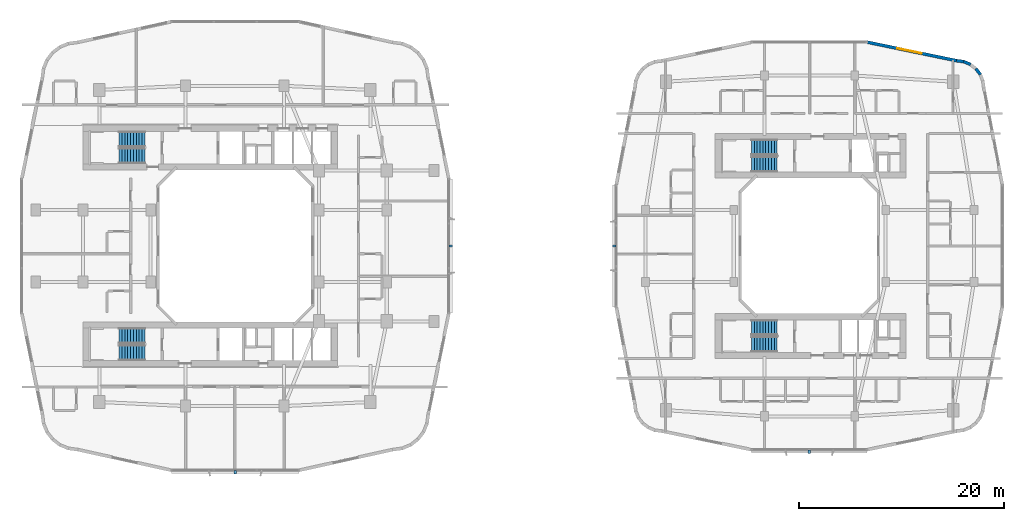
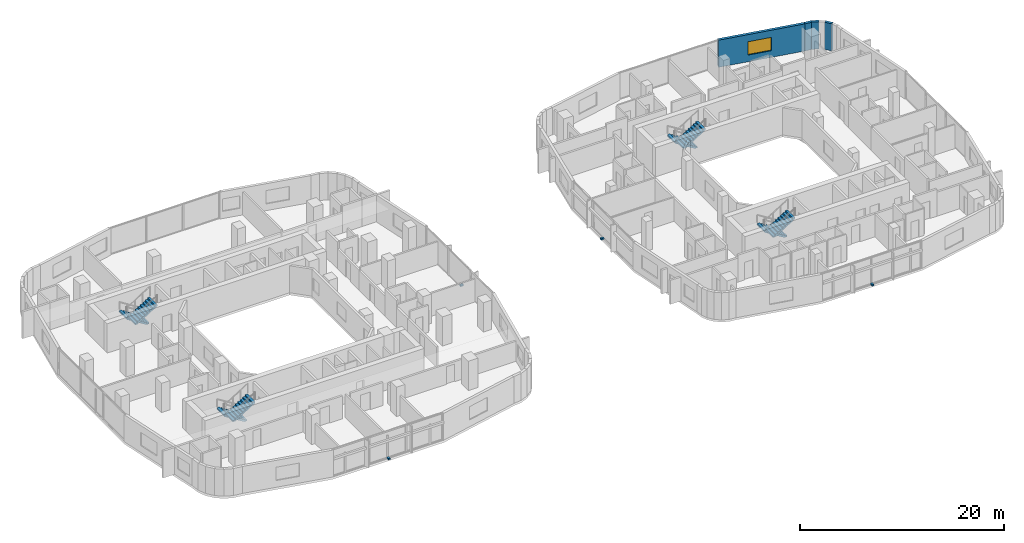
# One storey, part 21 of 26: 8 stair flights, 4 discrete accessories, 4 walls, 1 window, 1 opening, 4 elements without a shape of their own.
"""IFC4 building model written with IfcOpenShell, lengths in metres."""

from ifc_helpers import new_model, si_unit, derived_unit, direction, frame, frame_2d, origin, origin_2d, place, context, subcontext, project, spatial, polyline, rectangle, outline, extrude, material, layer, layer_set, type_object, element, fill, aggregate, save


model = new_model("IFC4")

# Units and contexts
model_context = context("Model", 3, precision=1e-05, world=origin(), true_north=direction((0.0, 1.0)))
body_context = subcontext(model_context, "Body", "Model", "MODEL_VIEW")
ifc_project = project(units=[si_unit("LENGTHUNIT", "METRE"), si_unit("AREAUNIT", "SQUARE_METRE"), si_unit("VOLUMEUNIT", "CUBIC_METRE"), si_unit("PLANEANGLEUNIT", "RADIAN"), si_unit("MASSUNIT", "GRAM", prefix="KILO"), derived_unit("THERMALTRANSMITTANCEUNIT", [(si_unit("POWERUNIT", "WATT"), 1), (si_unit("LENGTHUNIT", "METRE"), -2), (si_unit("THERMODYNAMICTEMPERATUREUNIT", "KELVIN"), -1)])], contexts=[model_context])

# Site, building, storey
site_placement = place(None, origin())
site = spatial("IfcSite", under=ifc_project, at=site_placement, CompositionType="ELEMENT")
building_placement = place(site_placement, origin())
building = spatial("IfcBuilding", under=site, at=building_placement, Name="Kivonza Crest Hotel", CompositionType="ELEMENT")
storey_placement = place(building_placement, frame((0.0, 0.0, 52.0)))
storey = spatial("IfcBuildingStorey", under=building, at=storey_placement, Name="L13", CompositionType="ELEMENT", Elevation=52.0)

# Walls
ifc_material_1 = material(Name="Precast concrete C40/50", Category="concrete")
ifc_layer = layer(ifc_material_1, 0.300048828125)
ifc_layer_set = layer_set([ifc_layer], Name="Precast concrete C40/50")
wall_type = type_object("IfcWallType", Name="WL-EXT-300", PredefinedType="STANDARD", material=ifc_layer_set)
wall_1_placement = place(storey_placement, frame((93.64111328125, 41.68896484375, 0.0), z_axis=(0.0, 0.0, 1.0), x_axis=(-0.608603261071, 0.793474681772, 0.0)))
element("IfcWall", 1, at=wall_1_placement, inside=storey, type_object=wall_type, Name="L13 T2 exterior insulated wall 21", PredefinedType="STANDARD", context=body_context, shape_type="SweptSolid", body=[
    extrude(rectangle(XDim=0.74609375, YDim=0.300048828125, at=frame_2d((0.373046875, 0.0))), origin(), (0.0, 0.0, 1.0), 3.25),
])
wall_2_placement = place(storey_placement, frame((92.68603515625, 42.676025390625, 0.0), z_axis=(0.0, 0.0, 1.0), x_axis=(-0.923637576129, 0.383267045233, 0.0)))
element("IfcWall", 2, at=wall_2_placement, inside=storey, type_object=wall_type, Name="L13 T2 exterior insulated wall 23", PredefinedType="STANDARD", context=body_context, shape_type="SweptSolid", body=[
    extrude(rectangle(XDim=0.745849609375, YDim=0.300048828125, at=frame_2d((0.373046875, 0.0))), origin(), (0.0, 0.0, 1.0), 3.25),
])
wall_3_placement = place(storey_placement, frame((92.051025390625, 42.952880859375, 0.0), z_axis=(0.0, 0.0, 1.0), x_axis=(-0.991559404866, 0.129653178221, 0.0)))
element("IfcWall", 3, at=wall_3_placement, inside=storey, type_object=wall_type, Name="L13 T2 exterior insulated wall 24", PredefinedType="STANDARD", context=body_context, shape_type="SweptSolid", body=[
    extrude(rectangle(XDim=0.764404296875, YDim=0.300048828125, at=frame_2d((0.38232421875, 0.0))), origin(), (0.0, 0.0, 1.0), 3.25),
])

# Wall, opening, window
wall_4_placement = place(storey_placement, frame((91.298095703125, 43.051025390625, 0.0), z_axis=(0.0, 0.0, 1.0), x_axis=(-0.979128391325, 0.203242695569, 0.0)))
wall_4 = element("IfcWall", 4, at=wall_4_placement, inside=storey, type_object=wall_type, Name="L13 T2 exterior insulated wall 25", PredefinedType="STANDARD", context=body_context, shape_type="SweptSolid", body=[
    extrude(rectangle(XDim=8.92041015625, YDim=0.300048828125, at=frame_2d((4.460205078125, 0.0))), origin(), (0.0, 0.0, 1.0), 3.25),
])
opening_placement = place(wall_4_placement, frame((3.471923828125, 0.0, 0.800048828125)))
opening = element("IfcOpeningElement", 5, at=opening_placement, cuts=wall_4, Name="Opening WN-05", PredefinedType="OPENING", context=body_context, shape_type="SweptSolid", body=[
    extrude(rectangle(XDim=2.39990234375, YDim=1.60009765625, at=frame_2d((1.199951171875, 0.800048828125))), frame((0.0, 0.16015625, 0.0), z_axis=(0.0, -1.0, 0.0), x_axis=(1.0, 0.0, 0.0)), (0.0, 0.0, 1.0), 0.320068359375),
])
ifc_material_2 = material(Name="Thermally broken bronze aluminium and low-E double glazing", Category="aluminium")
window_type = type_object("IfcWindowType", Name="WN-240x160", PartitioningType="TRIPLE_PANEL_VERTICAL", PredefinedType="WINDOW", material=ifc_material_2)
window_placement = place(opening_placement, origin())
window = element("IfcWindow", 6, at=window_placement, inside=storey, type_object=window_type, Name="L13 T2 facade window 25", OverallHeight=1.60009765625, OverallWidth=2.39990234375, PartitioningType="SINGLE_PANEL", PredefinedType="WINDOW", context=body_context, shape_type="SweptSolid", body=[
    extrude(rectangle(XDim=2.39990234375, YDim=1.60009765625, at=frame_2d((1.199951171875, 0.800048828125))), frame((0.0, 0.030029296875, 0.0), z_axis=(0.0, -1.0, 0.0), x_axis=(1.0, 0.0, 0.0)), (0.0, 0.0, 1.0), 0.06005859375),
])
fill(opening, window)

# Stair, stair flights
ifc_material_3 = material(Name="Concrete C40/50", Category="concrete")
stair_type = type_object("IfcStairType", Name="ST-DL-20R", PredefinedType="HALF_TURN_STAIR", material=ifc_material_3)
stair_1_placement = place(storey_placement, origin())
stair_1 = element("IfcStair", 7, at=stair_1_placement, inside=storey, type_object=stair_type, Name="L13 Protected Exit Stair ST-T1-N", PredefinedType="HALF_TURN_STAIR")
stair_flight_type = type_object("IfcStairFlightType", Name="SFL-RC-10R", PredefinedType="STRAIGHT", material=ifc_material_3)
stair_flight_1_placement = place(storey_placement, frame((12.239990234375, 35.409912109375, 0.0), z_axis=(0.0, 0.0, 1.0), x_axis=(-1.0, 0.0, 0.0)))
stair_flight_1 = element("IfcStairFlight", 8, at=stair_flight_1_placement, type_object=stair_flight_type, Name="ST-T1-N flight 1", NumberOfRisers=10, NumberOfTreads=9, PredefinedType="STRAIGHT", RiserHeight=0.175, TreadLength=0.28, context=body_context, shape_type="SweptSolid", body=[
    extrude(outline(polyline([(0.0, 0.0), (0.0, 0.175048828125), (0.280029296875, 0.175048828125), (0.280029296875, 0.35009765625), (0.56005859375, 0.35009765625), (0.56005859375, 0.52490234375), (0.840087890625, 0.52490234375), (0.840087890625, 0.699951171875), (1.1201171875, 0.699951171875), (1.1201171875, 0.875), (1.39990234375, 0.875), (1.39990234375, 1.050048828125), (1.679931640625, 1.050048828125), (1.679931640625, 1.22509765625), (1.9599609375, 1.22509765625), (1.9599609375, 1.39990234375), (2.239990234375, 1.39990234375), (2.239990234375, 1.574951171875), (2.52001953125, 1.574951171875), (2.52001953125, 1.75), (2.52001953125, 1.398193359375), (0.28271484375, 0.0), (0.0, 0.0)])), frame((0.0, 0.75, 0.0), z_axis=(0.0, -1.0, 0.0), x_axis=(1.0, 0.0, 0.0)), (0.0, 0.0, 1.0), 1.5),
])
stair_flight_2_placement = place(storey_placement, frame((9.719970703125, 33.77001953125, 1.75), z_axis=(0.0, 0.0, 1.0), x_axis=(1.0, 0.0, 0.0)))
stair_flight_2 = element("IfcStairFlight", 9, at=stair_flight_2_placement, type_object=stair_flight_type, Name="ST-T1-N flight 2", NumberOfRisers=10, NumberOfTreads=9, PredefinedType="STRAIGHT", RiserHeight=0.175, TreadLength=0.28, context=body_context, shape_type="SweptSolid", body=[
    extrude(outline(polyline([(0.0, 0.0), (0.0, 0.175048828125), (0.280029296875, 0.175048828125), (0.280029296875, 0.35009765625), (0.56005859375, 0.35009765625), (0.56005859375, 0.52490234375), (0.840087890625, 0.52490234375), (0.840087890625, 0.699951171875), (1.1201171875, 0.699951171875), (1.1201171875, 0.875), (1.39990234375, 0.875), (1.39990234375, 1.050048828125), (1.679931640625, 1.050048828125), (1.679931640625, 1.22509765625), (1.9599609375, 1.22509765625), (1.9599609375, 1.39990234375), (2.239990234375, 1.39990234375), (2.239990234375, 1.574951171875), (2.52001953125, 1.574951171875), (2.52001953125, 1.75), (2.52001953125, 1.398193359375), (0.28271484375, 0.0), (0.0, 0.0)])), frame((0.0, 0.75, 0.0), z_axis=(0.0, -1.0, 0.0), x_axis=(1.0, 0.0, 0.0)), (0.0, 0.0, 1.0), 1.5),
])
aggregate(stair_1, [stair_flight_1, stair_flight_2])

stair_2_placement = place(storey_placement, origin())
stair_2 = element("IfcStair", 10, at=stair_2_placement, inside=storey, type_object=stair_type, Name="L13 Protected Exit Stair ST-T1-S", PredefinedType="HALF_TURN_STAIR")
stair_flight_3_placement = place(storey_placement, frame((12.239990234375, 16.25, 0.0), z_axis=(0.0, 0.0, 1.0), x_axis=(-1.0, 0.0, 0.0)))
stair_flight_3 = element("IfcStairFlight", 11, at=stair_flight_3_placement, type_object=stair_flight_type, Name="ST-T1-S flight 1", NumberOfRisers=10, NumberOfTreads=9, PredefinedType="STRAIGHT", RiserHeight=0.175, TreadLength=0.28, context=body_context, shape_type="SweptSolid", body=[
    extrude(outline(polyline([(0.0, 0.0), (0.0, 0.175048828125), (0.280029296875, 0.175048828125), (0.280029296875, 0.35009765625), (0.56005859375, 0.35009765625), (0.56005859375, 0.52490234375), (0.840087890625, 0.52490234375), (0.840087890625, 0.699951171875), (1.1201171875, 0.699951171875), (1.1201171875, 0.875), (1.39990234375, 0.875), (1.39990234375, 1.050048828125), (1.679931640625, 1.050048828125), (1.679931640625, 1.22509765625), (1.9599609375, 1.22509765625), (1.9599609375, 1.39990234375), (2.239990234375, 1.39990234375), (2.239990234375, 1.574951171875), (2.52001953125, 1.574951171875), (2.52001953125, 1.75), (2.52001953125, 1.398193359375), (0.28271484375, 0.0), (0.0, 0.0)])), frame((0.0, 0.75, 0.0), z_axis=(0.0, -1.0, 0.0), x_axis=(1.0, 0.0, 0.0)), (0.0, 0.0, 1.0), 1.5),
])
stair_flight_4_placement = place(storey_placement, frame((9.719970703125, 14.610107421875, 1.75), z_axis=(0.0, 0.0, 1.0), x_axis=(1.0, 0.0, 0.0)))
stair_flight_4 = element("IfcStairFlight", 12, at=stair_flight_4_placement, type_object=stair_flight_type, Name="ST-T1-S flight 2", NumberOfRisers=10, NumberOfTreads=9, PredefinedType="STRAIGHT", RiserHeight=0.175, TreadLength=0.28, context=body_context, shape_type="SweptSolid", body=[
    extrude(outline(polyline([(0.0, 0.0), (0.0, 0.175048828125), (0.280029296875, 0.175048828125), (0.280029296875, 0.35009765625), (0.56005859375, 0.35009765625), (0.56005859375, 0.52490234375), (0.840087890625, 0.52490234375), (0.840087890625, 0.699951171875), (1.1201171875, 0.699951171875), (1.1201171875, 0.875), (1.39990234375, 0.875), (1.39990234375, 1.050048828125), (1.679931640625, 1.050048828125), (1.679931640625, 1.22509765625), (1.9599609375, 1.22509765625), (1.9599609375, 1.39990234375), (2.239990234375, 1.39990234375), (2.239990234375, 1.574951171875), (2.52001953125, 1.574951171875), (2.52001953125, 1.75), (2.52001953125, 1.398193359375), (0.28271484375, 0.0), (0.0, 0.0)])), frame((0.0, 0.75, 0.0), z_axis=(0.0, -1.0, 0.0), x_axis=(1.0, 0.0, 0.0)), (0.0, 0.0, 1.0), 1.5),
])
aggregate(stair_2, [stair_flight_3, stair_flight_4])

stair_3_placement = place(storey_placement, origin())
stair_3 = element("IfcStair", 13, at=stair_3_placement, inside=storey, type_object=stair_type, Name="L13 Protected Exit Stair ST-T2-N", PredefinedType="HALF_TURN_STAIR")
stair_flight_5_placement = place(storey_placement, frame((73.840087890625, 34.610107421875, 0.0), z_axis=(0.0, 0.0, 1.0), x_axis=(-1.0, 0.0, 0.0)))
stair_flight_5 = element("IfcStairFlight", 14, at=stair_flight_5_placement, type_object=stair_flight_type, Name="ST-T2-N flight 1", NumberOfRisers=10, NumberOfTreads=9, PredefinedType="STRAIGHT", RiserHeight=0.175, TreadLength=0.28, context=body_context, shape_type="SweptSolid", body=[
    extrude(outline(polyline([(0.0, 0.0), (0.0, 0.175048828125), (0.280029296875, 0.175048828125), (0.280029296875, 0.35009765625), (0.56005859375, 0.35009765625), (0.56005859375, 0.52490234375), (0.840087890625, 0.52490234375), (0.840087890625, 0.699951171875), (1.1201171875, 0.699951171875), (1.1201171875, 0.875), (1.39990234375, 0.875), (1.39990234375, 1.050048828125), (1.679931640625, 1.050048828125), (1.679931640625, 1.22509765625), (1.9599609375, 1.22509765625), (1.9599609375, 1.39990234375), (2.239990234375, 1.39990234375), (2.239990234375, 1.574951171875), (2.52001953125, 1.574951171875), (2.52001953125, 1.75), (2.52001953125, 1.398193359375), (0.28271484375, 0.0), (0.0, 0.0)])), frame((0.0, 0.75, 0.0), z_axis=(0.0, -1.0, 0.0), x_axis=(1.0, 0.0, 0.0)), (0.0, 0.0, 1.0), 1.5),
])
stair_flight_6_placement = place(storey_placement, frame((71.320068359375, 32.969970703125, 1.75), z_axis=(0.0, 0.0, 1.0), x_axis=(1.0, 0.0, 0.0)))
stair_flight_6 = element("IfcStairFlight", 15, at=stair_flight_6_placement, type_object=stair_flight_type, Name="ST-T2-N flight 2", NumberOfRisers=10, NumberOfTreads=9, PredefinedType="STRAIGHT", RiserHeight=0.175, TreadLength=0.28, context=body_context, shape_type="SweptSolid", body=[
    extrude(outline(polyline([(0.0, 0.0), (0.0, 0.175048828125), (0.280029296875, 0.175048828125), (0.280029296875, 0.35009765625), (0.56005859375, 0.35009765625), (0.56005859375, 0.52490234375), (0.840087890625, 0.52490234375), (0.840087890625, 0.699951171875), (1.1201171875, 0.699951171875), (1.1201171875, 0.875), (1.39990234375, 0.875), (1.39990234375, 1.050048828125), (1.679931640625, 1.050048828125), (1.679931640625, 1.22509765625), (1.9599609375, 1.22509765625), (1.9599609375, 1.39990234375), (2.239990234375, 1.39990234375), (2.239990234375, 1.574951171875), (2.52001953125, 1.574951171875), (2.52001953125, 1.75), (2.52001953125, 1.398193359375), (0.28271484375, 0.0), (0.0, 0.0)])), frame((0.0, 0.75, 0.0), z_axis=(0.0, -1.0, 0.0), x_axis=(1.0, 0.0, 0.0)), (0.0, 0.0, 1.0), 1.5),
])
aggregate(stair_3, [stair_flight_5, stair_flight_6])

stair_4_placement = place(storey_placement, origin())
stair_4 = element("IfcStair", 16, at=stair_4_placement, inside=storey, type_object=stair_type, Name="L13 Protected Exit Stair ST-T2-S", PredefinedType="HALF_TURN_STAIR")
stair_flight_7_placement = place(storey_placement, frame((73.840087890625, 17.050048828125, 0.0), z_axis=(0.0, 0.0, 1.0), x_axis=(-1.0, 0.0, 0.0)))
stair_flight_7 = element("IfcStairFlight", 17, at=stair_flight_7_placement, type_object=stair_flight_type, Name="ST-T2-S flight 1", NumberOfRisers=10, NumberOfTreads=9, PredefinedType="STRAIGHT", RiserHeight=0.175, TreadLength=0.28, context=body_context, shape_type="SweptSolid", body=[
    extrude(outline(polyline([(0.0, 0.0), (0.0, 0.175048828125), (0.280029296875, 0.175048828125), (0.280029296875, 0.35009765625), (0.56005859375, 0.35009765625), (0.56005859375, 0.52490234375), (0.840087890625, 0.52490234375), (0.840087890625, 0.699951171875), (1.1201171875, 0.699951171875), (1.1201171875, 0.875), (1.39990234375, 0.875), (1.39990234375, 1.050048828125), (1.679931640625, 1.050048828125), (1.679931640625, 1.22509765625), (1.9599609375, 1.22509765625), (1.9599609375, 1.39990234375), (2.239990234375, 1.39990234375), (2.239990234375, 1.574951171875), (2.52001953125, 1.574951171875), (2.52001953125, 1.75), (2.52001953125, 1.398193359375), (0.28271484375, 0.0), (0.0, 0.0)])), frame((0.0, 0.75, 0.0), z_axis=(0.0, -1.0, 0.0), x_axis=(1.0, 0.0, 0.0)), (0.0, 0.0, 1.0), 1.5),
])
stair_flight_8_placement = place(storey_placement, frame((71.320068359375, 15.409912109375, 1.75), z_axis=(0.0, 0.0, 1.0), x_axis=(1.0, 0.0, 0.0)))
stair_flight_8 = element("IfcStairFlight", 18, at=stair_flight_8_placement, type_object=stair_flight_type, Name="ST-T2-S flight 2", NumberOfRisers=10, NumberOfTreads=9, PredefinedType="STRAIGHT", RiserHeight=0.175, TreadLength=0.28, context=body_context, shape_type="SweptSolid", body=[
    extrude(outline(polyline([(0.0, 0.0), (0.0, 0.175048828125), (0.280029296875, 0.175048828125), (0.280029296875, 0.35009765625), (0.56005859375, 0.35009765625), (0.56005859375, 0.52490234375), (0.840087890625, 0.52490234375), (0.840087890625, 0.699951171875), (1.1201171875, 0.699951171875), (1.1201171875, 0.875), (1.39990234375, 0.875), (1.39990234375, 1.050048828125), (1.679931640625, 1.050048828125), (1.679931640625, 1.22509765625), (1.9599609375, 1.22509765625), (1.9599609375, 1.39990234375), (2.239990234375, 1.39990234375), (2.239990234375, 1.574951171875), (2.52001953125, 1.574951171875), (2.52001953125, 1.75), (2.52001953125, 1.398193359375), (0.28271484375, 0.0), (0.0, 0.0)])), frame((0.0, 0.75, 0.0), z_axis=(0.0, -1.0, 0.0), x_axis=(1.0, 0.0, 0.0)), (0.0, 0.0, 1.0), 1.5),
])
aggregate(stair_4, [stair_flight_7, stair_flight_8])

# Discrete accessories
ifc_material_4 = material(Name="Stainless steel 316", Category="steel")
discrete_accessory_type = type_object("IfcDiscreteAccessoryType", Name="AC-BRACKET-240", PredefinedType="BRACKET", material=ifc_material_4)
for number, where, z_axis, x_axis, name in (
    (19, (21.0400390625, 2.9599609375, -0.009765625), (0.0, 0.0, 1.0), (1.0, 0.0, 0.0), "L13 terracotta baguette support bracket CW-T1-L13-08"),
    (20, (42.0400390625, 25.0, -0.009765625), (0.0, 0.0, 1.0), (0.0, 1.0, 0.0), "L13 terracotta baguette support bracket CW-T1-L13-17"),
    (21, (76.9599609375, 4.9599609375, -0.009765625), (0.0, 0.0, 1.0), (1.0, 0.0, 0.0), "L13 terracotta baguette support bracket CW-T2-L13-08"),
    (22, (57.9599609375, 25.0, -0.009765625), (0.0, 0.0, 1.0), (0.0, -1.0, 0.0), "L13 terracotta baguette support bracket CW-T2-L13-35"),
):
    element("IfcDiscreteAccessory", number, at=place(storey_placement, frame(where, z_axis=z_axis, x_axis=x_axis)), inside=storey, type_object=discrete_accessory_type, Name=name, PredefinedType="BRACKET", context=body_context, shape_type="SweptSolid", body=[
        extrude(rectangle(XDim=0.219970703125, YDim=0.340087890625, at=origin_2d()), origin(), (0.0, 0.0, 1.0), 0.179931640625),
    ])

save(model, "model.ifc")
